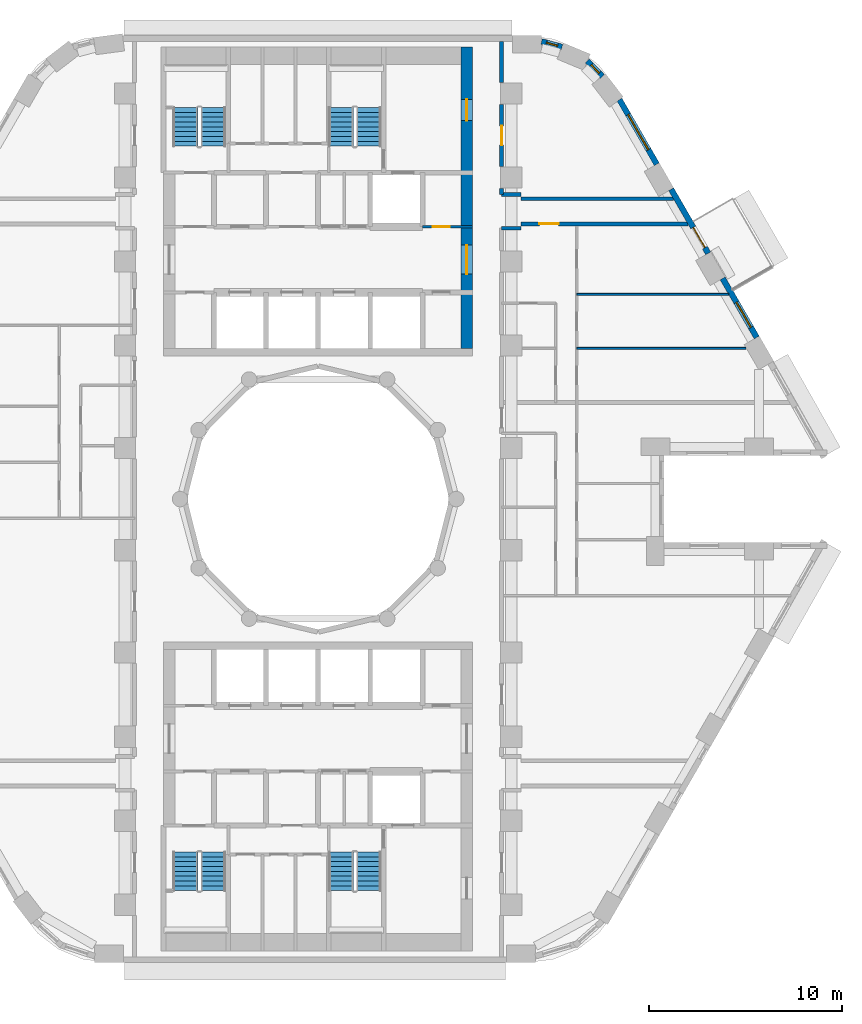
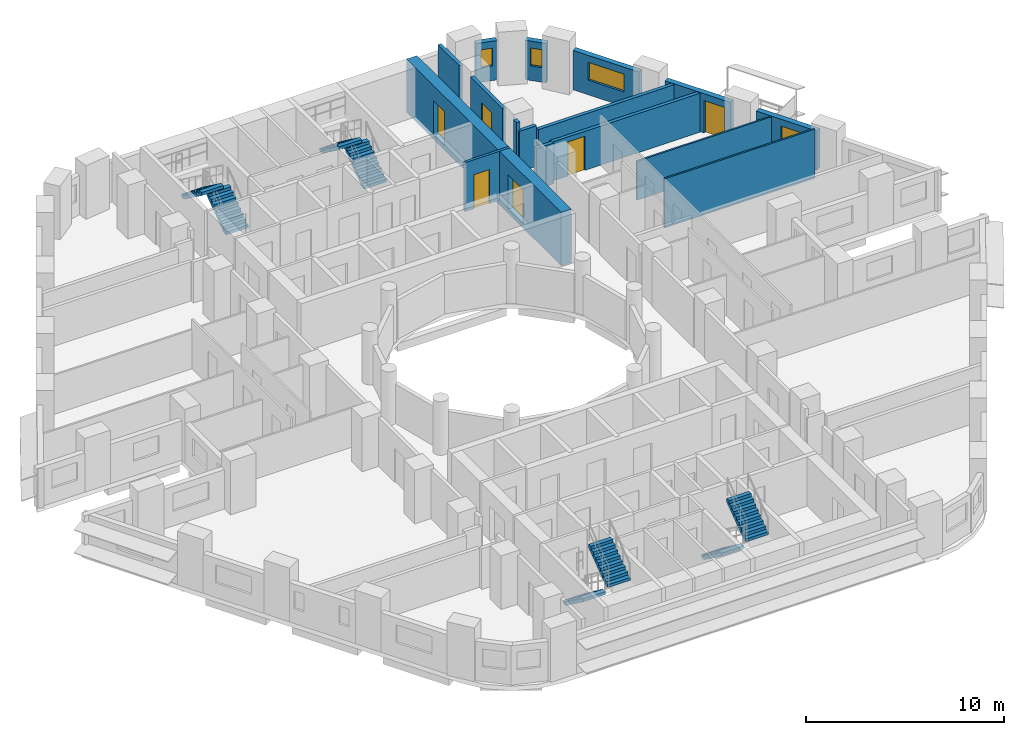
# One storey, part 9 of 13: 16 walls, 8 stair flights, 6 doors, 4 windows, 10 openings, 4 elements without a shape of their own.
"""IFC4 building model written with IfcOpenShell, lengths in metres."""

from ifc_helpers import new_model, si_unit, direction, frame, frame_2d, origin, place, context, subcontext, project, spatial, polyline, rectangle, outline, extrude, material, layer, layer_set, type_object, element, fill, aggregate, save


model = new_model("IFC4")

# Units and contexts
model_context = context("Model", 3, precision=1e-05, world=origin(), true_north=direction((0.0, 1.0)))
body_context = subcontext(model_context, "Body", "Model", "MODEL_VIEW")
ifc_project = project(units=[si_unit("LENGTHUNIT", "METRE"), si_unit("AREAUNIT", "SQUARE_METRE"), si_unit("VOLUMEUNIT", "CUBIC_METRE"), si_unit("PLANEANGLEUNIT", "RADIAN"), si_unit("MASSUNIT", "GRAM", prefix="KILO")], contexts=[model_context])

# Site, building, storey
site_placement = place(None, origin())
site = spatial("IfcSite", under=ifc_project, at=site_placement, CompositionType="ELEMENT")
building_placement = place(site_placement, origin())
building = spatial("IfcBuilding", under=site, at=building_placement, Name="Nakaniwa Court", CompositionType="ELEMENT")
storey_placement = place(building_placement, frame((0.0, 0.0, 61.199951171875)))
storey = spatial("IfcBuildingStorey", under=building, at=storey_placement, Name="L16", CompositionType="ELEMENT", Elevation=61.199951171875)

# Wall
ifc_material_1 = material(Name="Acoustic double stud partition")
ifc_layer_1 = layer(ifc_material_1, 0.199951171875)
ifc_layer_set_1 = layer_set([ifc_layer_1], Name="Acoustic double stud partition")
wall_type_1 = type_object("IfcWallType", Name="Acoustic double stud partition 200", PredefinedType="PARTITIONING", material=ifc_layer_set_1)
wall_1_placement = place(storey_placement, frame((89.5, 95.77197265625, 0.0), z_axis=(0.0, 0.0, 1.0), x_axis=(0.0, 1.0, 0.0)))
element("IfcWall", 1, at=wall_1_placement, inside=storey, type_object=wall_type_1, Name="Partition PW-081", PredefinedType="PARTITIONING", context=body_context, shape_type="SweptSolid", body=[
    extrude(rectangle(XDim=0.31103515625, YDim=0.199951171875, at=frame_2d((0.155517578125, 0.0))), origin(), (0.0, 0.0, 1.0), 3.025146484375),
])

# Wall, opening, door
wall_2_placement = place(storey_placement, frame((89.5, 100.43310546875, 0.0), z_axis=(0.0, 0.0, 1.0), x_axis=(0.0, -1.0, 0.0)))
wall_2 = element("IfcWall", 2, at=wall_2_placement, inside=storey, type_object=wall_type_1, Name="Partition PW-082", PredefinedType="PARTITIONING", context=body_context, shape_type="SweptSolid", body=[
    extrude(rectangle(XDim=3.216064453125, YDim=0.199951171875, at=frame_2d((1.60791015625, 0.0))), origin(), (0.0, 0.0, 1.0), 3.025146484375),
])
opening_1_placement = place(wall_2_placement, frame((1.10791015625, 0.0, 0.0)))
opening_1 = element("IfcOpeningElement", 3, at=opening_1_placement, cuts=wall_2, Name="Opening D-02-03", PredefinedType="OPENING", context=body_context, shape_type="SweptSolid", body=[
    extrude(rectangle(XDim=1.0, YDim=2.10009765625, at=frame_2d((0.5, 1.050048828125))), frame((0.0, 0.10986328125, 0.0), z_axis=(0.0, -1.0, 0.0), x_axis=(1.0, 0.0, 0.0)), (0.0, 0.0, 1.0), 0.219970703125),
])
ifc_material_2 = material(Name="Solid core timber door set, black veneer", Category="wood")
door_type_1 = type_object("IfcDoorType", Name="Internal door 1000", OperationType="NOTDEFINED", PredefinedType="DOOR", material=ifc_material_2)
door_1_placement = place(opening_1_placement, origin())
door_1 = element("IfcDoor", 4, at=door_1_placement, inside=storey, type_object=door_type_1, Name="Door D-02-03 L16-043", OperationType="SINGLE_SWING_RIGHT", OverallHeight=2.10009765625, OverallWidth=1.0, PredefinedType="DOOR", context=body_context, shape_type="SweptSolid", body=[
    extrude(rectangle(XDim=1.0, YDim=2.10009765625, at=frame_2d((0.5, 1.050048828125))), frame((0.0, 0.02490234375, 0.0), z_axis=(0.0, -1.0, 0.0), x_axis=(1.0, 0.0, 0.0)), (0.0, 0.0, 1.0), 0.050048828125),
])
fill(opening_1, door_1)

# Wall
wall_3_placement = place(storey_placement, frame((89.5, 101.56689453125, 0.0), z_axis=(0.0, 0.0, 1.0), x_axis=(0.0, 1.0, 0.0)))
element("IfcWall", 5, at=wall_3_placement, inside=storey, type_object=wall_type_1, Name="Partition PW-083", PredefinedType="PARTITIONING", context=body_context, shape_type="SweptSolid", body=[
    extrude(rectangle(XDim=2.133056640625, YDim=0.199951171875, at=frame_2d((1.06640625, 0.0))), origin(), (0.0, 0.0, 1.0), 3.025146484375),
])

# Wall, opening, door
wall_4_placement = place(storey_placement, frame((99.13916015625, 94.25, 0.0), z_axis=(0.0, 0.0, 1.0), x_axis=(-1.0, 0.0, 0.0)))
wall_4 = element("IfcWall", 6, at=wall_4_placement, inside=storey, type_object=wall_type_1, Name="Partition PW-085", PredefinedType="PARTITIONING", context=body_context, shape_type="SweptSolid", body=[
    extrude(rectangle(XDim=8.63916015625, YDim=0.199951171875, at=frame_2d((4.319580078125, 0.0))), origin(), (0.0, 0.0, 1.0), 2.405029296875),
])
opening_2_placement = place(wall_4_placement, frame((6.68896484375, 0.0, 0.0)))
opening_2 = element("IfcOpeningElement", 7, at=opening_2_placement, cuts=wall_4, Name="Opening D-01-02", PredefinedType="OPENING", context=body_context, shape_type="SweptSolid", body=[
    extrude(rectangle(XDim=1.0, YDim=2.10009765625, at=frame_2d((0.5, 1.050048828125))), frame((0.0, 0.10986328125, 0.0), z_axis=(0.0, -1.0, 0.0), x_axis=(1.0, 0.0, 0.0)), (0.0, 0.0, 1.0), 0.219970703125),
])
door_type_2 = type_object("IfcDoorType", Name="Flat entrance door 1000", OperationType="NOTDEFINED", PredefinedType="DOOR", material=ifc_material_2)
door_2_placement = place(opening_2_placement, origin())
door_2 = element("IfcDoor", 8, at=door_2_placement, inside=storey, type_object=door_type_2, Name="Door D-01-02 L16-037", OperationType="SINGLE_SWING_RIGHT", OverallHeight=2.10009765625, OverallWidth=1.0, PredefinedType="DOOR", context=body_context, shape_type="SweptSolid", body=[
    extrude(rectangle(XDim=1.0, YDim=2.10009765625, at=frame_2d((0.5, 1.050048828125))), frame((0.0, 0.02490234375, 0.0), z_axis=(0.0, -1.0, 0.0), x_axis=(1.0, 0.0, 0.0)), (0.0, 0.0, 1.0), 0.050048828125),
])
fill(opening_2, door_2)

# Walls
for number, where, z_axis, x_axis, name in (
    (9, (89.5, 94.02490234375, 0.0), (0.0, 0.0, 1.0), (1.0, 0.0, 0.0), "Partition PW-087"),
    (10, (89.5, 95.77490234375, 0.0), (0.0, 0.0, 1.0), (1.0, 0.0, 0.0), "Partition PW-089"),
):
    element("IfcWall", number, at=place(storey_placement, frame(where, z_axis=z_axis, x_axis=x_axis)), inside=storey, type_object=wall_type_1, Name=name, PredefinedType="PARTITIONING", context=body_context, shape_type="SweptSolid", body=[
        extrude(rectangle(XDim=1.0, YDim=0.199951171875, at=frame_2d((0.5, 0.0))), origin(), (0.0, 0.0, 1.0), 2.505126953125),
    ])
wall_5_placement = place(storey_placement, frame((90.5, 95.550048828125, 0.0), z_axis=(0.0, 0.0, 1.0), x_axis=(1.0, 0.0, 0.0)))
element("IfcWall", 11, at=wall_5_placement, inside=storey, type_object=wall_type_1, Name="Partition PW-091", PredefinedType="PARTITIONING", context=body_context, shape_type="SweptSolid", body=[
    extrude(rectangle(XDim=7.888671875, YDim=0.199951171875, at=frame_2d((3.9443359375, 0.0))), origin(), (0.0, 0.0, 1.0), 2.405029296875),
])

# Wall, opening, window
ifc_material_3 = material(Name="Charcoal ceramic cladding")
ifc_layer_2 = layer(ifc_material_3, 0.02, Name="Ceramic cladding")
ifc_material_4 = material(Name="Ventilated air cavity")
ifc_layer_3 = layer(ifc_material_4, 0.04, ventilated=True, Name="Ventilated cavity")
ifc_material_5 = material(Name="Mineral wool insulation")
ifc_layer_4 = layer(ifc_material_5, 0.1, Name="Insulation")
ifc_material_6 = material(Name="Cement bonded sheathing board")
ifc_layer_5 = layer(ifc_material_6, 0.012, Name="Sheathing")
ifc_material_7 = material(Name="Cold-formed galvanised stud frame with mineral wool infill")
ifc_layer_6 = layer(ifc_material_7, 0.1, Name="Stud frame")
ifc_material_8 = material(Name="Fire-rated gypsum plasterboard lining")
ifc_layer_7 = layer(ifc_material_8, 0.028, Name="Lining")
ifc_layer_set_2 = layer_set([ifc_layer_2, ifc_layer_3, ifc_layer_4, ifc_layer_5, ifc_layer_6, ifc_layer_7], Name="Charcoal ceramic faced external wall system")
wall_type_2 = type_object("IfcWallType", Name="Black ceramic faced external wall 300", PredefinedType="SOLIDWALL", material=ifc_layer_set_2)
wall_6_placement = place(storey_placement, frame((102.709716796875, 88.36572265625, 0.0), z_axis=(0.0, 0.0, 1.0), x_axis=(-0.499977402622, 0.866038449993, 0.0)))
wall_6 = element("IfcWall", 12, at=wall_6_placement, inside=storey, type_object=wall_type_2, Name="L16 external wall 03", PredefinedType="SOLIDWALL", context=body_context, shape_type="SweptSolid", body=[
    extrude(rectangle(XDim=3.536865234375, YDim=0.300048828125, at=frame_2d((1.7685546875, 0.0))), origin(), (0.0, 0.0, 1.0), 2.425048828125),
])
opening_3_placement = place(wall_6_placement, frame((0.60107421875, 0.0, 0.89990234375)))
opening_3 = element("IfcOpeningElement", 13, at=opening_3_placement, cuts=wall_6, Name="Opening W5.05", PredefinedType="OPENING", context=body_context, shape_type="SweptSolid", body=[
    extrude(rectangle(XDim=1.5, YDim=1.10009765625, at=frame_2d((0.75, 0.550048828125))), frame((0.0, 0.159912109375, 0.0), z_axis=(0.0, -1.0, 0.0), x_axis=(1.0, 0.0, 0.0)), (0.0, 0.0, 1.0), 0.320068359375),
])
ifc_material_9 = material(Name="Black anodised aluminium frame with dark low-E laminated double glazing", Category="aluminium")
window_type_1 = type_object("IfcWindowType", Name="Dark glass window 1500x1100 sill 900", PartitioningType="SINGLE_PANEL", PredefinedType="WINDOW", material=ifc_material_9)
window_1_placement = place(opening_3_placement, origin())
window_1 = element("IfcWindow", 14, at=window_1_placement, inside=storey, type_object=window_type_1, Name="L16 bedroom window 03-0", OverallHeight=1.10009765625, OverallWidth=1.5, PartitioningType="SINGLE_PANEL", PredefinedType="WINDOW", context=body_context, shape_type="SweptSolid", body=[
    extrude(rectangle(XDim=1.5, YDim=1.10009765625, at=frame_2d((0.75, 0.550048828125))), frame((0.0, 0.030029296875, 0.0), z_axis=(0.0, -1.0, 0.0), x_axis=(1.0, 0.0, 0.0)), (0.0, 0.0, 1.0), 0.06005859375),
])
fill(opening_3, window_1)

# Wall, opening, door
wall_7_placement = place(storey_placement, frame((100.1953125, 92.720703125, 0.0), z_axis=(0.0, 0.0, 1.0), x_axis=(-0.500001735503, 0.866024401789, 0.0)))
wall_7 = element("IfcWall", 15, at=wall_7_placement, inside=storey, type_object=wall_type_2, Name="L16 external wall 04", PredefinedType="SOLIDWALL", context=body_context, shape_type="SweptSolid", body=[
    extrude(rectangle(XDim=3.833984375, YDim=0.300048828125, at=frame_2d((1.9169921875, 0.0))), origin(), (0.0, 0.0, 1.0), 2.425048828125),
])
opening_4_placement = place(wall_7_placement, frame((0.343994140625, 0.0, 0.0)))
opening_4 = element("IfcOpeningElement", 16, at=opening_4_placement, cuts=wall_7, Name="Opening XD10.01", PredefinedType="OPENING", context=body_context, shape_type="SweptSolid", body=[
    extrude(rectangle(XDim=1.199951171875, YDim=2.0, at=frame_2d((0.60009765625, 1.0))), frame((0.0, 0.159912109375, 0.0), z_axis=(0.0, -1.0, 0.0), x_axis=(1.0, 0.0, 0.0)), (0.0, 0.0, 1.0), 0.320068359375),
])
ifc_material_10 = material(Name="Black powder-coated aluminium frame with dark laminated glass", Category="aluminium")
door_type_3 = type_object("IfcDoorType", Name="Balcony sliding door 1200x2000", OperationType="SLIDING_TO_LEFT", PredefinedType="DOOR", material=ifc_material_10)
door_3_placement = place(opening_4_placement, origin())
door_3 = element("IfcDoor", 17, at=door_3_placement, inside=storey, type_object=door_type_3, Name="L16 balcony sliding door 01", OperationType="SLIDING_TO_LEFT", OverallHeight=2.0, OverallWidth=1.199951171875, PredefinedType="DOOR", context=body_context, shape_type="SweptSolid", body=[
    extrude(rectangle(XDim=1.199951171875, YDim=2.0, at=frame_2d((0.60009765625, 1.0))), frame((0.0, 0.02490234375, 0.0), z_axis=(0.0, -1.0, 0.0), x_axis=(1.0, 0.0, 0.0)), (0.0, 0.0, 1.0), 0.050048828125),
])
fill(opening_4, door_3)

# Wall, opening, window
wall_8_placement = place(storey_placement, frame((97.5322265625, 97.3330078125, 0.0), z_axis=(0.0, 0.0, 1.0), x_axis=(-0.499948341072, 0.866055227026, 0.0)))
wall_8 = element("IfcWall", 18, at=wall_8_placement, inside=storey, type_object=wall_type_2, Name="L16 external wall 05", PredefinedType="SOLIDWALL", context=body_context, shape_type="SweptSolid", body=[
    extrude(rectangle(XDim=3.8671875, YDim=0.300048828125, at=frame_2d((1.93359375, 0.0))), origin(), (0.0, 0.0, 1.0), 2.425048828125),
])
opening_5_placement = place(wall_8_placement, frame((0.872314453125, 0.0, 0.89990234375)))
opening_5 = element("IfcOpeningElement", 19, at=opening_5_placement, cuts=wall_8, Name="Opening W7.06", PredefinedType="OPENING", context=body_context, shape_type="SweptSolid", body=[
    extrude(rectangle(XDim=2.10009765625, YDim=1.10009765625, at=frame_2d((1.050048828125, 0.550048828125))), frame((0.0, 0.159912109375, 0.0), z_axis=(0.0, -1.0, 0.0), x_axis=(1.0, 0.0, 0.0)), (0.0, 0.0, 1.0), 0.320068359375),
])
window_type_2 = type_object("IfcWindowType", Name="Dark glass window 2100x1100 sill 900", PartitioningType="SINGLE_PANEL", PredefinedType="WINDOW", material=ifc_material_9)
window_2_placement = place(opening_5_placement, origin())
window_2 = element("IfcWindow", 20, at=window_2_placement, inside=storey, type_object=window_type_2, Name="L16 habitable room window 05-0", OverallHeight=1.10009765625, OverallWidth=2.10009765625, PartitioningType="SINGLE_PANEL", PredefinedType="WINDOW", context=body_context, shape_type="SweptSolid", body=[
    extrude(rectangle(XDim=2.10009765625, YDim=1.10009765625, at=frame_2d((1.050048828125, 0.550048828125))), frame((0.0, 0.030029296875, 0.0), z_axis=(0.0, -1.0, 0.0), x_axis=(1.0, 0.0, 0.0)), (0.0, 0.0, 1.0), 0.06005859375),
])
fill(opening_5, window_2)

wall_9_placement = place(storey_placement, frame((94.712646484375, 101.8828125, 0.0), z_axis=(0.0, 0.0, 1.0), x_axis=(-0.696138968055, 0.717907053285, 0.0)))
wall_9 = element("IfcWall", 21, at=wall_9_placement, inside=storey, type_object=wall_type_2, Name="L16 external wall 06", PredefinedType="SOLIDWALL", context=body_context, shape_type="SweptSolid", body=[
    extrude(rectangle(XDim=1.1103515625, YDim=0.300048828125, at=frame_2d((0.55517578125, 0.0))), origin(), (0.0, 0.0, 1.0), 2.425048828125),
])
opening_6_placement = place(wall_9_placement, frame((0.230712890625, 0.0, 0.89990234375)))
opening_6 = element("IfcOpeningElement", 22, at=opening_6_placement, cuts=wall_9, Name="Opening W8.07", PredefinedType="OPENING", context=body_context, shape_type="SweptSolid", body=[
    extrude(rectangle(XDim=0.60009765625, YDim=1.10009765625, at=frame_2d((0.300048828125, 0.550048828125))), frame((0.0, 0.159912109375, 0.0), z_axis=(0.0, -1.0, 0.0), x_axis=(1.0, 0.0, 0.0)), (0.0, 0.0, 1.0), 0.320068359375),
])
window_type_3 = type_object("IfcWindowType", Name="Dark glass window 600x1100 sill 900", PartitioningType="SINGLE_PANEL", PredefinedType="WINDOW", material=ifc_material_9)
window_3_placement = place(opening_6_placement, origin())
window_3 = element("IfcWindow", 23, at=window_3_placement, inside=storey, type_object=window_type_3, Name="L16 habitable room window 06-0", OverallHeight=1.10009765625, OverallWidth=0.60009765625, PartitioningType="SINGLE_PANEL", PredefinedType="WINDOW", context=body_context, shape_type="SweptSolid", body=[
    extrude(rectangle(XDim=0.60009765625, YDim=1.10009765625, at=frame_2d((0.300048828125, 0.550048828125))), frame((0.0, 0.030029296875, 0.0), z_axis=(0.0, -1.0, 0.0), x_axis=(1.0, 0.0, 0.0)), (0.0, 0.0, 1.0), 0.06005859375),
])
fill(opening_6, window_3)

wall_10_placement = place(storey_placement, frame((92.62548828125, 103.406982421875, 0.0), z_axis=(0.0, 0.0, 1.0), x_axis=(-0.96522637192, 0.261415475728, 0.0)))
wall_10 = element("IfcWall", 24, at=wall_10_placement, inside=storey, type_object=wall_type_2, Name="L16 external wall 07", PredefinedType="SOLIDWALL", context=body_context, shape_type="SweptSolid", body=[
    extrude(rectangle(XDim=1.0927734375, YDim=0.300048828125, at=frame_2d((0.54638671875, 0.0))), origin(), (0.0, 0.0, 1.0), 2.425048828125),
])
opening_7_placement = place(wall_10_placement, frame((0.236083984375, 0.0, 0.89990234375)))
opening_7 = element("IfcOpeningElement", 25, at=opening_7_placement, cuts=wall_10, Name="Opening W8.08", PredefinedType="OPENING", context=body_context, shape_type="SweptSolid", body=[
    extrude(rectangle(XDim=0.60009765625, YDim=1.10009765625, at=frame_2d((0.300048828125, 0.550048828125))), frame((0.0, 0.159912109375, 0.0), z_axis=(0.0, -1.0, 0.0), x_axis=(1.0, 0.0, 0.0)), (0.0, 0.0, 1.0), 0.320068359375),
])
window_4_placement = place(opening_7_placement, origin())
window_4 = element("IfcWindow", 26, at=window_4_placement, inside=storey, type_object=window_type_3, Name="L16 habitable room window 07-0", OverallHeight=1.10009765625, OverallWidth=0.60009765625, PartitioningType="SINGLE_PANEL", PredefinedType="WINDOW", context=body_context, shape_type="SweptSolid", body=[
    extrude(rectangle(XDim=0.60009765625, YDim=1.10009765625, at=frame_2d((0.300048828125, 0.550048828125))), frame((0.0, 0.030029296875, 0.0), z_axis=(0.0, -1.0, 0.0), x_axis=(1.0, 0.0, 0.0)), (0.0, 0.0, 1.0), 0.06005859375),
])
fill(opening_7, window_4)

# Wall, opening, door
ifc_material_11 = material(Name="Blockwork partition", Category="masonry")
ifc_layer_8 = layer(ifc_material_11, 0.14990234375)
ifc_layer_set_3 = layer_set([ifc_layer_8], Name="Blockwork partition")
wall_type_3 = type_object("IfcWallType", Name="Blockwork partition 150", PredefinedType="PARTITIONING", material=ifc_layer_set_3)
wall_11_placement = place(storey_placement, frame((85.39697265625, 94.10009765625, 0.0), z_axis=(0.0, 0.0, 1.0), x_axis=(1.0, 0.0, 0.0)))
wall_11 = element("IfcWall", 27, at=wall_11_placement, inside=storey, type_object=wall_type_3, Name="Partition PW-018", PredefinedType="PARTITIONING", context=body_context, shape_type="SweptSolid", body=[
    extrude(rectangle(XDim=2.60302734375, YDim=0.14990234375, at=frame_2d((1.301513671875, 0.0))), origin(), (0.0, 0.0, 1.0), 3.025146484375),
])
opening_8_placement = place(wall_11_placement, frame((0.528076171875, 0.0, 0.0)))
opening_8 = element("IfcOpeningElement", 28, at=opening_8_placement, cuts=wall_11, Name="Opening D-05-06", PredefinedType="OPENING", context=body_context, shape_type="SweptSolid", body=[
    extrude(rectangle(XDim=0.89990234375, YDim=2.10009765625, at=frame_2d((0.449951171875, 1.050048828125))), frame((0.0, 0.0849609375, 0.0), z_axis=(0.0, -1.0, 0.0), x_axis=(1.0, 0.0, 0.0)), (0.0, 0.0, 1.0), 0.169921875),
])
ifc_material_12 = material(Name="Fire rated steel door set", Category="steel")
door_type_4 = type_object("IfcDoorType", Name="Service room door 900", OperationType="NOTDEFINED", PredefinedType="DOOR", material=ifc_material_12)
door_4_placement = place(opening_8_placement, origin())
door_4 = element("IfcDoor", 29, at=door_4_placement, inside=storey, type_object=door_type_4, Name="Door D-05-06 L16-008", OperationType="SINGLE_SWING_LEFT", OverallHeight=2.10009765625, OverallWidth=0.89990234375, PredefinedType="DOOR", context=body_context, shape_type="SweptSolid", body=[
    extrude(rectangle(XDim=0.89990234375, YDim=2.10009765625, at=frame_2d((0.449951171875, 1.050048828125))), frame((0.0, 0.02490234375, 0.0), z_axis=(0.0, -1.0, 0.0), x_axis=(1.0, 0.0, 0.0)), (0.0, 0.0, 1.0), 0.050048828125),
])
fill(opening_8, door_4)

# Wall, openings, doors
ifc_material_13 = material(Name="Concrete C100/115", Category="concrete")
ifc_layer_9 = layer(ifc_material_13, 0.60009765625)
ifc_layer_set_4 = layer_set([ifc_layer_9], Name="Concrete C100/115")
wall_type_4 = type_object("IfcWallType", Name="Concrete core side wall 600 C100", PredefinedType="SHEAR", material=ifc_layer_set_4)
wall_12_placement = place(storey_placement, frame((87.699951171875, 103.39990234375, -0.27490234375), z_axis=(0.0, 0.0, 1.0), x_axis=(0.0, -1.0, 0.0)))
wall_12 = element("IfcWall", 30, at=wall_12_placement, inside=storey, type_object=wall_type_4, Name="Core wall SW-15", PredefinedType="SHEAR", context=body_context, shape_type="SweptSolid", body=[
    extrude(rectangle(XDim=15.599853515625, YDim=0.60009765625, at=frame_2d((7.7998046875, 0.0))), origin(), (0.0, 0.0, 1.0), 3.300048828125),
])
opening_9_placement = place(wall_12_placement, frame((10.25, 0.0, 0.27490234375)))
opening_9 = element("IfcOpeningElement", 31, at=opening_9_placement, cuts=wall_12, Name="Opening D-07-01", PredefinedType="OPENING", context=body_context, shape_type="SweptSolid", body=[
    extrude(rectangle(XDim=1.5, YDim=2.10009765625, at=frame_2d((0.75, 1.050048828125))), frame((0.0, 0.31005859375, 0.0), z_axis=(0.0, -1.0, 0.0), x_axis=(1.0, 0.0, 0.0)), (0.0, 0.0, 1.0), 0.6201171875),
])
opening_10_placement = place(wall_12_placement, frame((2.699951171875, 0.0, 0.27490234375)))
opening_10 = element("IfcOpeningElement", 32, at=opening_10_placement, cuts=wall_12, Name="Opening D-10-01", PredefinedType="OPENING", context=body_context, shape_type="SweptSolid", body=[
    extrude(rectangle(XDim=1.10009765625, YDim=2.10009765625, at=frame_2d((0.550048828125, 1.050048828125))), frame((0.0, 0.31005859375, 0.0), z_axis=(0.0, -1.0, 0.0), x_axis=(1.0, 0.0, 0.0)), (0.0, 0.0, 1.0), 0.6201171875),
])
door_type_5 = type_object("IfcDoorType", Name="Firefighting lobby door 1100", OperationType="NOTDEFINED", PredefinedType="DOOR", material=ifc_material_12)
door_5_placement = place(opening_10_placement, origin())
door_5 = element("IfcDoor", 33, at=door_5_placement, inside=storey, type_object=door_type_5, Name="Door D-10-01 L16-056", OperationType="SINGLE_SWING_LEFT", OverallHeight=2.10009765625, OverallWidth=1.10009765625, PredefinedType="DOOR", context=body_context, shape_type="SweptSolid", body=[
    extrude(rectangle(XDim=1.10009765625, YDim=2.10009765625, at=frame_2d((0.550048828125, 1.050048828125))), frame((0.0, 0.02490234375, 0.0), z_axis=(0.0, -1.0, 0.0), x_axis=(1.0, 0.0, 0.0)), (0.0, 0.0, 1.0), 0.050048828125),
])
fill(opening_10, door_5)
ifc_material_14 = material(Name="Glazed fire rated steel double door set", Category="steel")
door_type_6 = type_object("IfcDoorType", Name="Lobby double door 1500", OperationType="NOTDEFINED", PredefinedType="DOOR", material=ifc_material_14)
door_6_placement = place(opening_9_placement, origin())
door_6 = element("IfcDoor", 34, at=door_6_placement, inside=storey, type_object=door_type_6, Name="Door D-07-01 L16-054", OperationType="DOUBLE_DOOR_SINGLE_SWING", OverallHeight=2.10009765625, OverallWidth=1.5, PredefinedType="DOOR", context=body_context, shape_type="SweptSolid", body=[
    extrude(rectangle(XDim=1.5, YDim=2.10009765625, at=frame_2d((0.75, 1.050048828125))), frame((0.0, 0.02490234375, 0.0), z_axis=(0.0, -1.0, 0.0), x_axis=(1.0, 0.0, 0.0)), (0.0, 0.0, 1.0), 0.050048828125),
])
fill(opening_9, door_6)

# Walls
ifc_material_15 = material(Name="Single stud plasterboard partition")
ifc_layer_10 = layer(ifc_material_15, 0.10009765625)
ifc_layer_set_5 = layer_set([ifc_layer_10], Name="Single stud plasterboard partition")
wall_type_5 = type_object("IfcWallType", Name="Single stud plasterboard partition 100", PredefinedType="PARTITIONING", material=ifc_layer_set_5)
wall_13_placement = place(storey_placement, frame((93.39990234375, 87.800048828125, 0.0), z_axis=(0.0, 0.0, 1.0), x_axis=(1.0, 0.0, 0.0)))
element("IfcWall", 35, at=wall_13_placement, inside=storey, type_object=wall_type_5, Name="Partition PW-124", PredefinedType="PARTITIONING", context=body_context, shape_type="SweptSolid", body=[
    extrude(rectangle(XDim=8.747314453125, YDim=0.10009765625, at=frame_2d((4.37353515625, 0.0))), origin(), (0.0, 0.0, 1.0), 3.025146484375),
])
wall_14_placement = place(storey_placement, frame((93.39990234375, 90.60009765625, 0.0), z_axis=(0.0, 0.0, 1.0), x_axis=(1.0, 0.0, 0.0)))
element("IfcWall", 36, at=wall_14_placement, inside=storey, type_object=wall_type_5, Name="Partition PW-125", PredefinedType="PARTITIONING", context=body_context, shape_type="SweptSolid", body=[
    extrude(rectangle(XDim=7.846435546875, YDim=0.10009765625, at=frame_2d((3.92333984375, 0.0))), origin(), (0.0, 0.0, 1.0), 2.405029296875),
])

# Stair, stair flights
ifc_material_16 = material(Name="Concrete C80/100", Category="concrete")
stair_type = type_object("IfcStairType", Name="Dog leg stair 1300 wide 18 risers", PredefinedType="HALF_TURN_STAIR", material=ifc_material_16)
stair_1_placement = place(storey_placement, origin())
stair_1 = element("IfcStair", 37, at=stair_1_placement, inside=storey, type_object=stair_type, Name="L16 Stair ST1", PredefinedType="HALF_TURN_STAIR")
stair_flight_type = type_object("IfcStairFlightType", Name="Stair flight 1300 wide 9 risers", PredefinedType="STRAIGHT", material=ifc_material_16)
stair_flight_1_placement = place(storey_placement, frame((74.574951171875, 98.27490234375, 0.0), z_axis=(0.0, 0.0, 1.0), x_axis=(0.0, 1.0, 0.0)))
stair_flight_1 = element("IfcStairFlight", 38, at=stair_flight_1_placement, type_object=stair_flight_type, Name="ST1 flight 1", NumberOfRisers=9, NumberOfTreads=8, PredefinedType="STRAIGHT", RiserHeight=0.183333333, TreadLength=0.25, context=body_context, shape_type="SweptSolid", body=[
    extrude(outline(polyline([(0.0, 0.0), (0.0, 0.026123046875), (0.0, 0.052490234375), (0.0, 0.07861328125), (0.0, 0.104736328125), (0.0, 0.130859375), (0.0, 0.1572265625), (0.0, 0.183349609375), (0.25, 0.183349609375), (0.25, 0.36669921875), (0.5, 0.36669921875), (0.5, 0.550048828125), (0.75, 0.550048828125), (0.75, 0.7333984375), (1.0, 0.7333984375), (1.0, 0.916748046875), (1.25, 0.916748046875), (1.25, 1.10009765625), (1.5, 1.10009765625), (1.5, 1.283447265625), (1.75, 1.283447265625), (1.75, 1.466552734375), (2.0, 1.466552734375), (2.0, 1.64990234375), (2.0, 1.59716796875), (2.0, 1.54443359375), (2.0, 1.49169921875), (2.0, 1.43896484375), (2.0, 1.38623046875), (2.0, 1.33349609375), (2.0, 1.28076171875), (0.25341796875, 0.0), (0.0, 0.0)])), frame((0.0, 0.64990234375, 0.0), z_axis=(0.0, -1.0, 0.0), x_axis=(1.0, 0.0, 0.0)), (0.0, 0.0, 1.0), 1.300048828125),
])
stair_flight_2_placement = place(storey_placement, frame((73.125, 100.27490234375, 1.650146484375), z_axis=(0.0, 0.0, 1.0), x_axis=(0.0, -1.0, 0.0)))
stair_flight_2 = element("IfcStairFlight", 39, at=stair_flight_2_placement, type_object=stair_flight_type, Name="ST1 flight 2", NumberOfRisers=9, NumberOfTreads=8, PredefinedType="STRAIGHT", RiserHeight=0.183333333, TreadLength=0.25, context=body_context, shape_type="SweptSolid", body=[
    extrude(outline(polyline([(0.0, 0.0), (0.0, 0.026123046875), (0.0, 0.052490234375), (0.0, 0.07861328125), (0.0, 0.104736328125), (0.0, 0.130859375), (0.0, 0.1572265625), (0.0, 0.183349609375), (0.25, 0.183349609375), (0.25, 0.36669921875), (0.5, 0.36669921875), (0.5, 0.550048828125), (0.75, 0.550048828125), (0.75, 0.7333984375), (1.0, 0.7333984375), (1.0, 0.916748046875), (1.25, 0.916748046875), (1.25, 1.10009765625), (1.5, 1.10009765625), (1.5, 1.283447265625), (1.75, 1.283447265625), (1.75, 1.466552734375), (2.0, 1.466552734375), (2.0, 1.64990234375), (2.0, 1.59716796875), (2.0, 1.54443359375), (2.0, 1.49169921875), (2.0, 1.43896484375), (2.0, 1.38623046875), (2.0, 1.33349609375), (2.0, 1.28076171875), (0.25341796875, 0.0), (0.0, 0.0)])), frame((0.0, 0.64990234375, 0.0), z_axis=(0.0, -1.0, 0.0), x_axis=(1.0, 0.0, 0.0)), (0.0, 0.0, 1.0), 1.300048828125),
])
aggregate(stair_1, [stair_flight_1, stair_flight_2])

stair_2_placement = place(storey_placement, origin())
stair_2 = element("IfcStair", 40, at=stair_2_placement, inside=storey, type_object=stair_type, Name="L16 Stair ST2", PredefinedType="HALF_TURN_STAIR")
stair_flight_3_placement = place(storey_placement, frame((82.625, 98.27490234375, 0.0), z_axis=(0.0, 0.0, 1.0), x_axis=(0.0, 1.0, 0.0)))
stair_flight_3 = element("IfcStairFlight", 41, at=stair_flight_3_placement, type_object=stair_flight_type, Name="ST2 flight 1", NumberOfRisers=9, NumberOfTreads=8, PredefinedType="STRAIGHT", RiserHeight=0.183333333, TreadLength=0.25, context=body_context, shape_type="SweptSolid", body=[
    extrude(outline(polyline([(0.0, 0.0), (0.0, 0.026123046875), (0.0, 0.052490234375), (0.0, 0.07861328125), (0.0, 0.104736328125), (0.0, 0.130859375), (0.0, 0.1572265625), (0.0, 0.183349609375), (0.25, 0.183349609375), (0.25, 0.36669921875), (0.5, 0.36669921875), (0.5, 0.550048828125), (0.75, 0.550048828125), (0.75, 0.7333984375), (1.0, 0.7333984375), (1.0, 0.916748046875), (1.25, 0.916748046875), (1.25, 1.10009765625), (1.5, 1.10009765625), (1.5, 1.283447265625), (1.75, 1.283447265625), (1.75, 1.466552734375), (2.0, 1.466552734375), (2.0, 1.64990234375), (2.0, 1.59716796875), (2.0, 1.54443359375), (2.0, 1.49169921875), (2.0, 1.43896484375), (2.0, 1.38623046875), (2.0, 1.33349609375), (2.0, 1.28076171875), (0.25341796875, 0.0), (0.0, 0.0)])), frame((0.0, 0.64990234375, 0.0), z_axis=(0.0, -1.0, 0.0), x_axis=(1.0, 0.0, 0.0)), (0.0, 0.0, 1.0), 1.300048828125),
])
stair_flight_4_placement = place(storey_placement, frame((81.175048828125, 100.27490234375, 1.650146484375), z_axis=(0.0, 0.0, 1.0), x_axis=(0.0, -1.0, 0.0)))
stair_flight_4 = element("IfcStairFlight", 42, at=stair_flight_4_placement, type_object=stair_flight_type, Name="ST2 flight 2", NumberOfRisers=9, NumberOfTreads=8, PredefinedType="STRAIGHT", RiserHeight=0.183333333, TreadLength=0.25, context=body_context, shape_type="SweptSolid", body=[
    extrude(outline(polyline([(0.0, 0.0), (0.0, 0.026123046875), (0.0, 0.052490234375), (0.0, 0.07861328125), (0.0, 0.104736328125), (0.0, 0.130859375), (0.0, 0.1572265625), (0.0, 0.183349609375), (0.25, 0.183349609375), (0.25, 0.36669921875), (0.5, 0.36669921875), (0.5, 0.550048828125), (0.75, 0.550048828125), (0.75, 0.7333984375), (1.0, 0.7333984375), (1.0, 0.916748046875), (1.25, 0.916748046875), (1.25, 1.10009765625), (1.5, 1.10009765625), (1.5, 1.283447265625), (1.75, 1.283447265625), (1.75, 1.466552734375), (2.0, 1.466552734375), (2.0, 1.64990234375), (2.0, 1.59716796875), (2.0, 1.54443359375), (2.0, 1.49169921875), (2.0, 1.43896484375), (2.0, 1.38623046875), (2.0, 1.33349609375), (2.0, 1.28076171875), (0.25341796875, 0.0), (0.0, 0.0)])), frame((0.0, 0.64990234375, 0.0), z_axis=(0.0, -1.0, 0.0), x_axis=(1.0, 0.0, 0.0)), (0.0, 0.0, 1.0), 1.300048828125),
])
aggregate(stair_2, [stair_flight_3, stair_flight_4])

stair_3_placement = place(storey_placement, origin())
stair_3 = element("IfcStair", 43, at=stair_3_placement, inside=storey, type_object=stair_type, Name="L16 Stair ST3", PredefinedType="HALF_TURN_STAIR")
stair_flight_5_placement = place(storey_placement, frame((73.125, 61.72509765625, 0.0), z_axis=(0.0, 0.0, 1.0), x_axis=(0.0, -1.0, 0.0)))
stair_flight_5 = element("IfcStairFlight", 44, at=stair_flight_5_placement, type_object=stair_flight_type, Name="ST3 flight 1", NumberOfRisers=9, NumberOfTreads=8, PredefinedType="STRAIGHT", RiserHeight=0.183333333, TreadLength=0.25, context=body_context, shape_type="SweptSolid", body=[
    extrude(outline(polyline([(0.0, 0.0), (0.0, 0.026123046875), (0.0, 0.052490234375), (0.0, 0.07861328125), (0.0, 0.104736328125), (0.0, 0.130859375), (0.0, 0.1572265625), (0.0, 0.183349609375), (0.25, 0.183349609375), (0.25, 0.36669921875), (0.5, 0.36669921875), (0.5, 0.550048828125), (0.75, 0.550048828125), (0.75, 0.7333984375), (1.0, 0.7333984375), (1.0, 0.916748046875), (1.25, 0.916748046875), (1.25, 1.10009765625), (1.5, 1.10009765625), (1.5, 1.283447265625), (1.75, 1.283447265625), (1.75, 1.466552734375), (2.0, 1.466552734375), (2.0, 1.64990234375), (2.0, 1.59716796875), (2.0, 1.54443359375), (2.0, 1.49169921875), (2.0, 1.43896484375), (2.0, 1.38623046875), (2.0, 1.33349609375), (2.0, 1.28076171875), (0.25341796875, 0.0), (0.0, 0.0)])), frame((0.0, 0.64990234375, 0.0), z_axis=(0.0, -1.0, 0.0), x_axis=(1.0, 0.0, 0.0)), (0.0, 0.0, 1.0), 1.300048828125),
])
stair_flight_6_placement = place(storey_placement, frame((74.574951171875, 59.72509765625, 1.650146484375), z_axis=(0.0, 0.0, 1.0), x_axis=(0.0, 1.0, 0.0)))
stair_flight_6 = element("IfcStairFlight", 45, at=stair_flight_6_placement, type_object=stair_flight_type, Name="ST3 flight 2", NumberOfRisers=9, NumberOfTreads=8, PredefinedType="STRAIGHT", RiserHeight=0.183333333, TreadLength=0.25, context=body_context, shape_type="SweptSolid", body=[
    extrude(outline(polyline([(0.0, 0.0), (0.0, 0.026123046875), (0.0, 0.052490234375), (0.0, 0.07861328125), (0.0, 0.104736328125), (0.0, 0.130859375), (0.0, 0.1572265625), (0.0, 0.183349609375), (0.25, 0.183349609375), (0.25, 0.36669921875), (0.5, 0.36669921875), (0.5, 0.550048828125), (0.75, 0.550048828125), (0.75, 0.7333984375), (1.0, 0.7333984375), (1.0, 0.916748046875), (1.25, 0.916748046875), (1.25, 1.10009765625), (1.5, 1.10009765625), (1.5, 1.283447265625), (1.75, 1.283447265625), (1.75, 1.466552734375), (2.0, 1.466552734375), (2.0, 1.64990234375), (2.0, 1.59716796875), (2.0, 1.54443359375), (2.0, 1.49169921875), (2.0, 1.43896484375), (2.0, 1.38623046875), (2.0, 1.33349609375), (2.0, 1.28076171875), (0.25341796875, 0.0), (0.0, 0.0)])), frame((0.0, 0.64990234375, 0.0), z_axis=(0.0, -1.0, 0.0), x_axis=(1.0, 0.0, 0.0)), (0.0, 0.0, 1.0), 1.300048828125),
])
aggregate(stair_3, [stair_flight_5, stair_flight_6])

stair_4_placement = place(storey_placement, origin())
stair_4 = element("IfcStair", 46, at=stair_4_placement, inside=storey, type_object=stair_type, Name="L16 Stair ST4", PredefinedType="HALF_TURN_STAIR")
stair_flight_7_placement = place(storey_placement, frame((81.175048828125, 61.72509765625, 0.0), z_axis=(0.0, 0.0, 1.0), x_axis=(0.0, -1.0, 0.0)))
stair_flight_7 = element("IfcStairFlight", 47, at=stair_flight_7_placement, type_object=stair_flight_type, Name="ST4 flight 1", NumberOfRisers=9, NumberOfTreads=8, PredefinedType="STRAIGHT", RiserHeight=0.183333333, TreadLength=0.25, context=body_context, shape_type="SweptSolid", body=[
    extrude(outline(polyline([(0.0, 0.0), (0.0, 0.026123046875), (0.0, 0.052490234375), (0.0, 0.07861328125), (0.0, 0.104736328125), (0.0, 0.130859375), (0.0, 0.1572265625), (0.0, 0.183349609375), (0.25, 0.183349609375), (0.25, 0.36669921875), (0.5, 0.36669921875), (0.5, 0.550048828125), (0.75, 0.550048828125), (0.75, 0.7333984375), (1.0, 0.7333984375), (1.0, 0.916748046875), (1.25, 0.916748046875), (1.25, 1.10009765625), (1.5, 1.10009765625), (1.5, 1.283447265625), (1.75, 1.283447265625), (1.75, 1.466552734375), (2.0, 1.466552734375), (2.0, 1.64990234375), (2.0, 1.59716796875), (2.0, 1.54443359375), (2.0, 1.49169921875), (2.0, 1.43896484375), (2.0, 1.38623046875), (2.0, 1.33349609375), (2.0, 1.28076171875), (0.25341796875, 0.0), (0.0, 0.0)])), frame((0.0, 0.64990234375, 0.0), z_axis=(0.0, -1.0, 0.0), x_axis=(1.0, 0.0, 0.0)), (0.0, 0.0, 1.0), 1.300048828125),
])
stair_flight_8_placement = place(storey_placement, frame((82.625, 59.72509765625, 1.650146484375), z_axis=(0.0, 0.0, 1.0), x_axis=(0.0, 1.0, 0.0)))
stair_flight_8 = element("IfcStairFlight", 48, at=stair_flight_8_placement, type_object=stair_flight_type, Name="ST4 flight 2", NumberOfRisers=9, NumberOfTreads=8, PredefinedType="STRAIGHT", RiserHeight=0.183333333, TreadLength=0.25, context=body_context, shape_type="SweptSolid", body=[
    extrude(outline(polyline([(0.0, 0.0), (0.0, 0.026123046875), (0.0, 0.052490234375), (0.0, 0.07861328125), (0.0, 0.104736328125), (0.0, 0.130859375), (0.0, 0.1572265625), (0.0, 0.183349609375), (0.25, 0.183349609375), (0.25, 0.36669921875), (0.5, 0.36669921875), (0.5, 0.550048828125), (0.75, 0.550048828125), (0.75, 0.7333984375), (1.0, 0.7333984375), (1.0, 0.916748046875), (1.25, 0.916748046875), (1.25, 1.10009765625), (1.5, 1.10009765625), (1.5, 1.283447265625), (1.75, 1.283447265625), (1.75, 1.466552734375), (2.0, 1.466552734375), (2.0, 1.64990234375), (2.0, 1.59716796875), (2.0, 1.54443359375), (2.0, 1.49169921875), (2.0, 1.43896484375), (2.0, 1.38623046875), (2.0, 1.33349609375), (2.0, 1.28076171875), (0.25341796875, 0.0), (0.0, 0.0)])), frame((0.0, 0.64990234375, 0.0), z_axis=(0.0, -1.0, 0.0), x_axis=(1.0, 0.0, 0.0)), (0.0, 0.0, 1.0), 1.300048828125),
])
aggregate(stair_4, [stair_flight_7, stair_flight_8])

save(model, "model.ifc")
